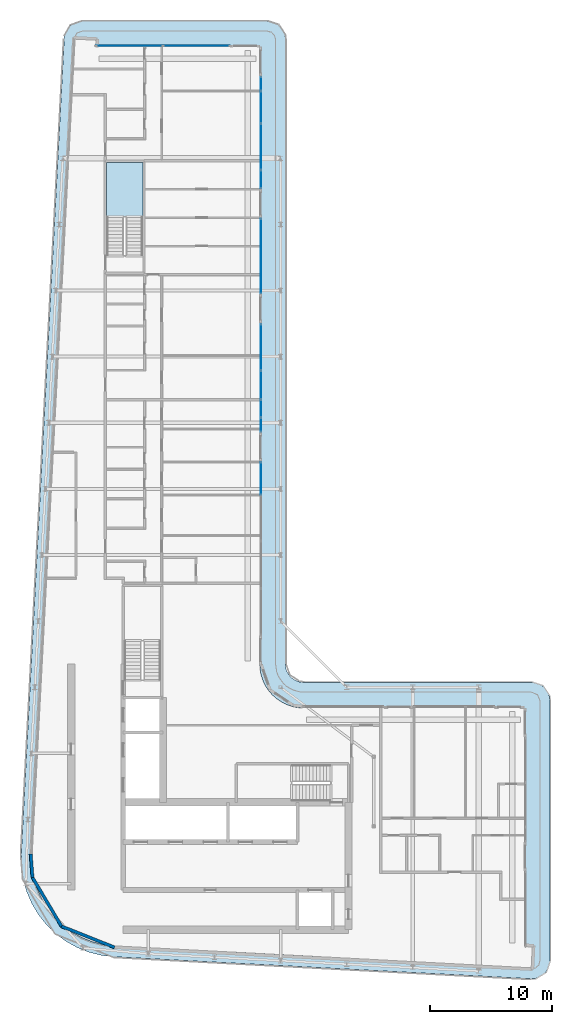
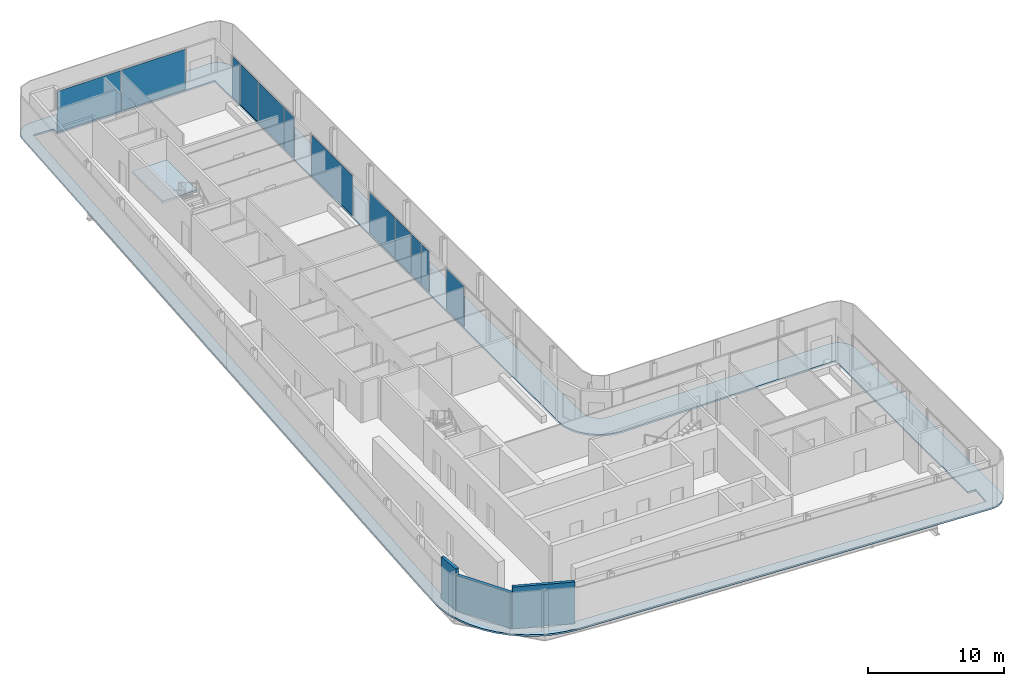
# One storey, part 10 of 21: 12 plates, 3 walls, 2 slabs, 8 elements without a shape of their own.
"""IFC4 building model written with IfcOpenShell, lengths in metres."""

from ifc_helpers import new_model, si_unit, direction, frame, frame_2d, origin, origin_2d, place, context, subcontext, project, spatial, polyline, rectangle, outline, extrude, material, layer, layer_set, type_object, element, aggregate, save


model = new_model("IFC4")

# Units and contexts
model_context = context("Model", 3, precision=1e-05, world=origin(), true_north=direction((0.0, 1.0)))
body_context = subcontext(model_context, "Body", "Model", "MODEL_VIEW")
ifc_project = project(units=[si_unit("LENGTHUNIT", "METRE"), si_unit("AREAUNIT", "SQUARE_METRE"), si_unit("VOLUMEUNIT", "CUBIC_METRE"), si_unit("PLANEANGLEUNIT", "RADIAN"), si_unit("MASSUNIT", "GRAM", prefix="KILO")], contexts=[model_context])

# Site, building, storey
site_placement = place(None, origin())
site = spatial("IfcSite", under=ifc_project, at=site_placement, CompositionType="ELEMENT")
building_placement = place(site_placement, origin())
building = spatial("IfcBuilding", under=site, at=building_placement, Name="Kheshtan School and Residences Tower", CompositionType="ELEMENT")
storey_placement = place(building_placement, frame((0.0, 0.0, 305.89990234375)))
storey = spatial("IfcBuildingStorey", under=building, at=storey_placement, Name="L72", CompositionType="ELEMENT", Elevation=305.89990234375)

# Curtain wall, plates
ifc_material_1 = material(Name="Clear low-e glass in thermally broken aluminium frame", Category="aluminium")
ifc_layer_1 = layer(ifc_material_1, 0.199951171875)
ifc_layer_set_1 = layer_set([ifc_layer_1], Name="Curtain wall CW-L")
curtain_wall_type = type_object("IfcCurtainWallType", Name="Curtain wall CW-L", PredefinedType="NOTDEFINED", material=ifc_layer_set_1)
curtain_wall_1_placement = place(storey_placement, origin())
curtain_wall_1 = element("IfcCurtainWall", 1, at=curtain_wall_1_placement, inside=storey, type_object=curtain_wall_type, Name="Curtain wall CWL7", PredefinedType="NOTDEFINED")
ifc_layer_2 = layer(ifc_material_1, 0.031982421875)
ifc_layer_set_2 = layer_set([ifc_layer_2], Name="CW-L glass panel")
plate_type = type_object("IfcPlateType", Name="CW-L glass panel", PredefinedType="CURTAIN_PANEL", material=ifc_layer_set_2)
plate_1_placement = place(storey_placement, frame((35.259033203125, 98.0, 0.000244140625), z_axis=(0.0, 0.0, 1.0), x_axis=(1.0, 0.0, 0.0)))
plate_1 = element("IfcPlate", 2, at=plate_1_placement, type_object=plate_type, Name="CWL7 panel 1.1", PredefinedType="CURTAIN_PANEL", context=body_context, shape_type="SweptSolid", body=[
    extrude(rectangle(XDim=5.4140625, YDim=0.031982421875, at=origin_2d()), origin(), (0.0, 0.0, 1.0), 3.6298828125),
])
plate_2_placement = place(storey_placement, frame((40.73291015625, 98.0, 0.000244140625), z_axis=(0.0, 0.0, 1.0), x_axis=(1.0, 0.0, 0.0)))
plate_2 = element("IfcPlate", 3, at=plate_2_placement, type_object=plate_type, Name="CWL7 panel 2.1", PredefinedType="CURTAIN_PANEL", context=body_context, shape_type="SweptSolid", body=[
    extrude(rectangle(XDim=5.4140625, YDim=0.031982421875, at=origin_2d()), origin(), (0.0, 0.0, 1.0), 3.6298828125),
])
aggregate(curtain_wall_1, [plate_1, plate_2])

curtain_wall_2_placement = place(storey_placement, origin())
curtain_wall_2 = element("IfcCurtainWall", 4, at=curtain_wall_2_placement, inside=storey, type_object=curtain_wall_type, Name="Curtain wall CWL8c", PredefinedType="NOTDEFINED")
plate_3_placement = place(storey_placement, frame((46.0, 94.885009765625, 0.000244140625), z_axis=(0.0, 0.0, 1.0), x_axis=(0.0, -1.0, 0.0)))
plate_3 = element("IfcPlate", 5, at=plate_3_placement, type_object=plate_type, Name="CWL8c panel 1.1", PredefinedType="CURTAIN_PANEL", context=body_context, shape_type="SweptSolid", body=[
    extrude(rectangle(XDim=1.110107421875, YDim=0.031982421875, at=origin_2d()), origin(), (0.0, 0.0, 1.0), 3.6298828125),
])
plate_4_placement = place(storey_placement, frame((46.0, 92.9765625, 0.000244140625), z_axis=(0.0, 0.0, 1.0), x_axis=(0.0, -1.0, 0.0)))
plate_4 = element("IfcPlate", 6, at=plate_4_placement, type_object=plate_type, Name="CWL8c panel 2.1", PredefinedType="CURTAIN_PANEL", context=body_context, shape_type="SweptSolid", body=[
    extrude(rectangle(XDim=2.5869140625, YDim=0.031982421875, at=origin_2d()), origin(), (0.0, 0.0, 1.0), 3.6298828125),
])
plate_5_placement = place(storey_placement, frame((46.0, 89.744384765625, 0.000244140625), z_axis=(0.0, 0.0, 1.0), x_axis=(0.0, -1.0, 0.0)))
plate_5 = element("IfcPlate", 7, at=plate_5_placement, type_object=plate_type, Name="CWL8c panel 3.1", PredefinedType="CURTAIN_PANEL", context=body_context, shape_type="SweptSolid", body=[
    extrude(rectangle(XDim=3.757080078125, YDim=0.031982421875, at=origin_2d()), origin(), (0.0, 0.0, 1.0), 3.6298828125),
])
aggregate(curtain_wall_2, [plate_3, plate_4, plate_5])

# Curtain wall, plate
curtain_wall_3_placement = place(storey_placement, origin())
curtain_wall_3 = element("IfcCurtainWall", 8, at=curtain_wall_3_placement, inside=storey, type_object=curtain_wall_type, Name="Curtain wall CWL8a", PredefinedType="NOTDEFINED")
plate_6_placement = place(storey_placement, frame((46.0, 87.0859375, 0.000244140625), z_axis=(0.0, 0.0, 1.0), x_axis=(0.0, -1.0, 0.0)))
plate_6 = element("IfcPlate", 9, at=plate_6_placement, type_object=plate_type, Name="CWL8a panel 1.1", PredefinedType="CURTAIN_PANEL", context=body_context, shape_type="SweptSolid", body=[
    extrude(rectangle(XDim=1.43994140625, YDim=0.031982421875, at=origin_2d()), origin(), (0.0, 0.0, 1.0), 3.6298828125),
])
aggregate(curtain_wall_3, [plate_6])

curtain_wall_4_placement = place(storey_placement, origin())
curtain_wall_4 = element("IfcCurtainWall", 10, at=curtain_wall_4_placement, inside=storey, type_object=curtain_wall_type, Name="Curtain wall CWL8d", PredefinedType="NOTDEFINED")
plate_7_placement = place(storey_placement, frame((46.0, 80.80908203125, 0.000244140625), z_axis=(0.0, 0.0, 1.0), x_axis=(0.0, -1.0, 0.0)))
plate_7 = element("IfcPlate", 11, at=plate_7_placement, type_object=plate_type, Name="CWL8d panel 1.1", PredefinedType="CURTAIN_PANEL", context=body_context, shape_type="SweptSolid", body=[
    extrude(rectangle(XDim=6.073974609375, YDim=0.031982421875, at=origin_2d()), origin(), (0.0, 0.0, 1.0), 3.6298828125),
])
aggregate(curtain_wall_4, [plate_7])

# Curtain wall, plates
curtain_wall_5_placement = place(storey_placement, origin())
curtain_wall_5 = element("IfcCurtainWall", 12, at=curtain_wall_5_placement, inside=storey, type_object=curtain_wall_type, Name="Curtain wall CWL8c", PredefinedType="NOTDEFINED")
plate_8_placement = place(storey_placement, frame((46.0, 73.37353515625, 0.000244140625), z_axis=(0.0, 0.0, 1.0), x_axis=(0.0, -1.0, 0.0)))
plate_8 = element("IfcPlate", 13, at=plate_8_placement, type_object=plate_type, Name="CWL8c panel 1.1", PredefinedType="CURTAIN_PANEL", context=body_context, shape_type="SweptSolid", body=[
    extrude(rectangle(XDim=3.757080078125, YDim=0.031982421875, at=origin_2d()), origin(), (0.0, 0.0, 1.0), 3.6298828125),
])
plate_9_placement = place(storey_placement, frame((46.0, 70.282470703125, 0.000244140625), z_axis=(0.0, 0.0, 1.0), x_axis=(0.0, -1.0, 0.0)))
plate_9 = element("IfcPlate", 14, at=plate_9_placement, type_object=plate_type, Name="CWL8c panel 2.1", PredefinedType="CURTAIN_PANEL", context=body_context, shape_type="SweptSolid", body=[
    extrude(rectangle(XDim=2.304931640625, YDim=0.031982421875, at=origin_2d()), origin(), (0.0, 0.0, 1.0), 3.6298828125),
])
plate_10_placement = place(storey_placement, frame((46.0, 68.3740234375, 0.000244140625), z_axis=(0.0, 0.0, 1.0), x_axis=(0.0, -1.0, 0.0)))
plate_10 = element("IfcPlate", 15, at=plate_10_placement, type_object=plate_type, Name="CWL8c panel 3.1", PredefinedType="CURTAIN_PANEL", context=body_context, shape_type="SweptSolid", body=[
    extrude(rectangle(XDim=1.39208984375, YDim=0.031982421875, at=origin_2d()), origin(), (0.0, 0.0, 1.0), 3.6298828125),
])
aggregate(curtain_wall_5, [plate_8, plate_9, plate_10])

# Curtain wall, plate
curtain_wall_6_placement = place(storey_placement, origin())
curtain_wall_6 = element("IfcCurtainWall", 16, at=curtain_wall_6_placement, inside=storey, type_object=curtain_wall_type, Name="Curtain wall CWL8g", PredefinedType="NOTDEFINED")
plate_11_placement = place(storey_placement, frame((46.0, 67.048095703125, 0.000244140625), z_axis=(0.0, 0.0, 1.0), x_axis=(0.0, -1.0, 0.0)))
plate_11 = element("IfcPlate", 17, at=plate_11_placement, type_object=plate_type, Name="CWL8g panel 1.1", PredefinedType="CURTAIN_PANEL", context=body_context, shape_type="SweptSolid", body=[
    extrude(rectangle(XDim=1.139892578125, YDim=0.031982421875, at=origin_2d()), origin(), (0.0, 0.0, 1.0), 3.6298828125),
])
aggregate(curtain_wall_6, [plate_11])

curtain_wall_7_placement = place(storey_placement, origin())
curtain_wall_7 = element("IfcCurtainWall", 18, at=curtain_wall_7_placement, inside=storey, type_object=curtain_wall_type, Name="Curtain wall CWL8k", PredefinedType="NOTDEFINED")
plate_12_placement = place(storey_placement, frame((46.0, 62.64404296875, 0.000244140625), z_axis=(0.0, 0.0, 1.0), x_axis=(0.0, -1.0, 0.0)))
plate_12 = element("IfcPlate", 19, at=plate_12_placement, type_object=plate_type, Name="CWL8k panel 1.1", PredefinedType="CURTAIN_PANEL", context=body_context, shape_type="SweptSolid", body=[
    extrude(rectangle(XDim=2.6279296875, YDim=0.031982421875, at=origin_2d()), origin(), (0.0, 0.0, 1.0), 3.6298828125),
])
aggregate(curtain_wall_7, [plate_12])

# Slab
ifc_material_2 = material(Name="Concrete C40/50", Category="concrete")
ifc_layer_3 = layer(ifc_material_2, 0.14990234375)
ifc_layer_set_3 = layer_set([ifc_layer_3], Name="Loggia balcony slab 150 Concrete C40/50")
slab_type_1 = type_object("IfcSlabType", Name="Loggia balcony slab 150 Concrete C40/50", PredefinedType="FLOOR", material=ifc_layer_set_3)
slab_1_placement = place(storey_placement, frame((0.0, 0.0, -0.14990234375)))
element("IfcSlab", 20, at=slab_1_placement, inside=storey, type_object=slab_type_1, Name="Loggia balcony slab L72", PredefinedType="FLOOR", context=body_context, shape_type="SweptSolid", body=[
    extrude(outline(polyline([(28.4580078125, 26.222900390625), (28.45703125, 26.222900390625), (28.45703125, 26.22412109375), (28.4560546875, 26.22412109375), (27.81494140625, 27.0390625), (27.281005859375, 27.93798828125), (26.867919921875, 28.89990234375), (26.583984375, 29.89990234375), (26.583984375, 29.906982421875), (26.43408203125, 30.943115234375), (26.419921875, 31.989013671875), (29.925048828125, 98.5791015625), (29.930908203125, 98.626953125), (29.930908203125, 98.6279296875), (29.929931640625, 98.6279296875), (29.929931640625, 98.62890625), (29.928955078125, 98.62890625), (29.928955078125, 98.6298828125), (29.927978515625, 98.6298828125), (29.927978515625, 98.631103515625), (29.927001953125, 98.631103515625), (29.927001953125, 98.632080078125), (29.927001953125, 98.633056640625), (29.945068359375, 98.781005859375), (29.945068359375, 98.783935546875), (29.945068359375, 98.784912109375), (29.946044921875, 98.784912109375), (29.946044921875, 98.785888671875), (29.947021484375, 98.785888671875), (29.947021484375, 98.787109375), (29.947998046875, 98.787109375), (29.948974609375, 98.787109375), (29.948974609375, 98.7880859375), (29.949951171875, 98.7880859375), (29.949951171875, 98.7890625), (29.949951171875, 98.791015625), (30.0029296875, 98.98388671875), (30.083984375, 99.175048828125), (30.18896484375, 99.35302734375), (30.31103515625, 99.507080078125), (30.31201171875, 99.507080078125), (30.31201171875, 99.508056640625), (30.31298828125, 99.508056640625), (30.31298828125, 99.509033203125), (30.31396484375, 99.509033203125), (30.31396484375, 99.510009765625), (30.31494140625, 99.510009765625), (30.31494140625, 99.510986328125), (30.31591796875, 99.510986328125), (30.31591796875, 99.511962890625), (30.31689453125, 99.511962890625), (30.31689453125, 99.512939453125), (30.318115234375, 99.512939453125), (30.320068359375, 99.512939453125), (30.321044921875, 99.512939453125), (30.321044921875, 99.513916015625), (30.468017578125, 99.656982421875), (30.468994140625, 99.656982421875), (30.468994140625, 99.657958984375), (30.469970703125, 99.657958984375), (30.469970703125, 99.658935546875), (30.470947265625, 99.658935546875), (30.470947265625, 99.659912109375), (30.471923828125, 99.659912109375), (30.471923828125, 99.660888671875), (30.472900390625, 99.660888671875), (30.472900390625, 99.662109375), (30.47412109375, 99.662109375), (30.47412109375, 99.6630859375), (30.47509765625, 99.6630859375), (30.47509765625, 99.6640625), (30.635986328125, 99.777099609375), (30.820068359375, 99.873046875), (31.007080078125, 99.943115234375), (31.013916015625, 99.943115234375), (31.217041015625, 99.986083984375), (31.423095703125, 100.0), (46.5, 100.0), (46.696044921875, 99.987060546875), (46.887939453125, 99.948974609375), (46.89501953125, 99.948974609375), (47.073974609375, 99.885986328125), (47.242919921875, 99.801025390625), (47.243896484375, 99.801025390625), (47.2470703125, 99.801025390625), (47.248046875, 99.801025390625), (47.248046875, 99.802001953125), (47.2490234375, 99.802001953125), (47.2490234375, 99.802978515625), (47.25, 99.802978515625), (47.2529296875, 99.802978515625), (47.25390625, 99.802978515625), (47.25390625, 99.802001953125), (47.2548828125, 99.802001953125), (47.2548828125, 99.801025390625), (47.256103515625, 99.801025390625), (47.256103515625, 99.800048828125), (47.257080078125, 99.800048828125), (47.257080078125, 99.799072265625), (47.258056640625, 99.799072265625), (47.258056640625, 99.798095703125), (47.412109375, 99.696044921875), (47.4130859375, 99.696044921875), (47.4130859375, 99.695068359375), (47.4140625, 99.695068359375), (47.4140625, 99.694091796875), (47.4140625, 99.68994140625), (47.4140625, 99.68896484375), (47.4150390625, 99.68896484375), (47.4150390625, 99.68798828125), (47.416015625, 99.68798828125), (47.416015625, 99.68701171875), (47.4169921875, 99.68701171875), (47.4169921875, 99.68603515625), (47.554931640625, 99.568115234375), (47.554931640625, 99.56689453125), (47.555908203125, 99.56689453125), (47.555908203125, 99.56591796875), (47.556884765625, 99.56591796875), (47.556884765625, 99.56494140625), (47.55810546875, 99.56494140625), (47.55810546875, 99.56396484375), (47.55908203125, 99.56396484375), (47.55908203125, 99.56298828125), (47.56005859375, 99.56298828125), (47.56005859375, 99.56201171875), (47.56103515625, 99.56201171875), (47.56201171875, 99.56103515625), (47.56201171875, 99.56005859375), (47.56298828125, 99.56005859375), (47.56298828125, 99.55908203125), (47.56396484375, 99.55908203125), (47.56396484375, 99.55810546875), (47.56494140625, 99.55810546875), (47.56494140625, 99.556884765625), (47.56591796875, 99.556884765625), (47.56591796875, 99.555908203125), (47.56689453125, 99.555908203125), (47.56689453125, 99.554931640625), (47.568115234375, 99.554931640625), (47.68505859375, 99.41796875), (47.68603515625, 99.41796875), (47.68603515625, 99.4169921875), (47.68701171875, 99.4169921875), (47.68701171875, 99.416015625), (47.68798828125, 99.416015625), (47.68798828125, 99.4150390625), (47.68896484375, 99.4150390625), (47.68896484375, 99.4140625), (47.68994140625, 99.4140625), (47.694091796875, 99.4140625), (47.695068359375, 99.4140625), (47.695068359375, 99.4130859375), (47.696044921875, 99.4130859375), (47.696044921875, 99.412109375), (47.797119140625, 99.259033203125), (47.798095703125, 99.259033203125), (47.798095703125, 99.258056640625), (47.799072265625, 99.258056640625), (47.799072265625, 99.257080078125), (47.800048828125, 99.257080078125), (47.800048828125, 99.256103515625), (47.801025390625, 99.256103515625), (47.801025390625, 99.2548828125), (47.802001953125, 99.2548828125), (47.802001953125, 99.25390625), (47.802978515625, 99.25390625), (47.802978515625, 99.2529296875), (47.802978515625, 99.25), (47.802978515625, 99.2490234375), (47.802001953125, 99.2490234375), (47.802001953125, 99.248046875), (47.801025390625, 99.248046875), (47.801025390625, 99.2470703125), (47.801025390625, 99.243896484375), (47.801025390625, 99.242919921875), (47.885986328125, 99.073974609375), (47.948974609375, 98.89501953125), (47.948974609375, 98.887939453125), (47.987060546875, 98.696044921875), (48.0, 98.5), (48.0, 47.5), (48.012939453125, 47.303955078125), (48.051025390625, 47.113037109375), (48.051025390625, 47.10693359375), (48.051025390625, 47.10595703125), (48.114013671875, 46.926025390625), (48.200927734375, 46.75), (48.31005859375, 46.5869140625), (48.431884765625, 46.444091796875), (48.43310546875, 46.444091796875), (48.43310546875, 46.443115234375), (48.43408203125, 46.443115234375), (48.43408203125, 46.44189453125), (48.43505859375, 46.44189453125), (48.43505859375, 46.44091796875), (48.43603515625, 46.44091796875), (48.43603515625, 46.43994140625), (48.43701171875, 46.43994140625), (48.43701171875, 46.43896484375), (48.43798828125, 46.43896484375), (48.43896484375, 46.43798828125), (48.43896484375, 46.43701171875), (48.43994140625, 46.43701171875), (48.43994140625, 46.43603515625), (48.44091796875, 46.43603515625), (48.44091796875, 46.43505859375), (48.44189453125, 46.43505859375), (48.44189453125, 46.43408203125), (48.443115234375, 46.43408203125), (48.443115234375, 46.43310546875), (48.444091796875, 46.43310546875), (48.444091796875, 46.431884765625), (48.5869140625, 46.31005859375), (48.75, 46.200927734375), (48.926025390625, 46.114013671875), (49.10595703125, 46.051025390625), (49.10693359375, 46.051025390625), (49.113037109375, 46.051025390625), (49.303955078125, 46.012939453125), (49.5, 46.0), (68.10009765625, 46.0), (68.2958984375, 45.987060546875), (68.488037109375, 45.948974609375), (68.4951171875, 45.948974609375), (68.674072265625, 45.885986328125), (68.842041015625, 45.801025390625), (68.843017578125, 45.801025390625), (68.846923828125, 45.801025390625), (68.847900390625, 45.801025390625), (68.847900390625, 45.802001953125), (68.84912109375, 45.802001953125), (68.84912109375, 45.802978515625), (68.85009765625, 45.802978515625), (68.85302734375, 45.802978515625), (68.85400390625, 45.802978515625), (68.85400390625, 45.802001953125), (68.85498046875, 45.802001953125), (68.85498046875, 45.801025390625), (68.85595703125, 45.801025390625), (68.85595703125, 45.800048828125), (68.85693359375, 45.800048828125), (68.85693359375, 45.799072265625), (68.85791015625, 45.799072265625), (68.85791015625, 45.798095703125), (68.85888671875, 45.798095703125), (68.85888671875, 45.797119140625), (68.860107421875, 45.797119140625), (68.860107421875, 45.7958984375), (69.011962890625, 45.696044921875), (69.012939453125, 45.696044921875), (69.012939453125, 45.695068359375), (69.013916015625, 45.695068359375), (69.013916015625, 45.694091796875), (69.013916015625, 45.68994140625), (69.013916015625, 45.68896484375), (69.014892578125, 45.68896484375), (69.014892578125, 45.68798828125), (69.01611328125, 45.68798828125), (69.01611328125, 45.68701171875), (69.01708984375, 45.68701171875), (69.01708984375, 45.68603515625), (69.01806640625, 45.68603515625), (69.01806640625, 45.68505859375), (69.01904296875, 45.68505859375), (69.01904296875, 45.68408203125), (69.155029296875, 45.568115234375), (69.155029296875, 45.56689453125), (69.156005859375, 45.56689453125), (69.156005859375, 45.56591796875), (69.156982421875, 45.56591796875), (69.156982421875, 45.56494140625), (69.157958984375, 45.56494140625), (69.157958984375, 45.56396484375), (69.158935546875, 45.56396484375), (69.158935546875, 45.56298828125), (69.159912109375, 45.56298828125), (69.159912109375, 45.56201171875), (69.160888671875, 45.56201171875), (69.162109375, 45.56103515625), (69.162109375, 45.56005859375), (69.1630859375, 45.56005859375), (69.1630859375, 45.55908203125), (69.1640625, 45.55908203125), (69.1640625, 45.55810546875), (69.1650390625, 45.55810546875), (69.1650390625, 45.556884765625), (69.166015625, 45.556884765625), (69.166015625, 45.555908203125), (69.1669921875, 45.555908203125), (69.1669921875, 45.554931640625), (69.16796875, 45.554931640625), (69.281982421875, 45.4208984375), (69.282958984375, 45.4208984375), (69.282958984375, 45.419921875), (69.283935546875, 45.419921875), (69.283935546875, 45.4189453125), (69.284912109375, 45.4189453125), (69.284912109375, 45.41796875), (69.285888671875, 45.41796875), (69.285888671875, 45.4169921875), (69.287109375, 45.4169921875), (69.287109375, 45.416015625), (69.2880859375, 45.416015625), (69.2880859375, 45.4150390625), (69.2890625, 45.4150390625), (69.2890625, 45.4140625), (69.2900390625, 45.4140625), (69.2939453125, 45.4140625), (69.294921875, 45.4140625), (69.294921875, 45.4130859375), (69.2958984375, 45.4130859375), (69.2958984375, 45.412109375), (69.39404296875, 45.261962890625), (69.39501953125, 45.261962890625), (69.39501953125, 45.260986328125), (69.39599609375, 45.260986328125), (69.39599609375, 45.260009765625), (69.39697265625, 45.260009765625), (69.39697265625, 45.259033203125), (69.39794921875, 45.259033203125), (69.39794921875, 45.258056640625), (69.39892578125, 45.258056640625), (69.39892578125, 45.257080078125), (69.39990234375, 45.257080078125), (69.39990234375, 45.256103515625), (69.40087890625, 45.256103515625), (69.40087890625, 45.2548828125), (69.402099609375, 45.2548828125), (69.402099609375, 45.25390625), (69.403076171875, 45.25390625), (69.403076171875, 45.2529296875), (69.403076171875, 45.25), (69.403076171875, 45.2490234375), (69.402099609375, 45.2490234375), (69.402099609375, 45.248046875), (69.40087890625, 45.248046875), (69.40087890625, 45.2470703125), (69.40087890625, 45.240966796875), (69.40087890625, 45.239990234375), (69.486083984375, 45.073974609375), (69.549072265625, 44.89501953125), (69.549072265625, 44.887939453125), (69.5869140625, 44.696044921875), (69.60009765625, 44.5), (69.60009765625, 23.285888671875), (69.5859375, 23.083984375), (69.544921875, 22.885009765625), (69.544921875, 22.8779296875), (69.47802734375, 22.694091796875), (69.385986328125, 22.513916015625), (69.27099609375, 22.347900390625), (69.27099609375, 22.346923828125), (69.27099609375, 22.345947265625), (69.27099609375, 22.344970703125), (69.27197265625, 22.344970703125), (69.27197265625, 22.343994140625), (69.27197265625, 22.342041015625), (69.27197265625, 22.341064453125), (69.27099609375, 22.341064453125), (69.27099609375, 22.340087890625), (69.137939453125, 22.197021484375), (69.135009765625, 22.194091796875), (69.134033203125, 22.194091796875), (69.134033203125, 22.193115234375), (69.133056640625, 22.193115234375), (69.131103515625, 22.193115234375), (69.1298828125, 22.193115234375), (69.1298828125, 22.194091796875), (69.12890625, 22.194091796875), (69.1279296875, 22.194091796875), (69.126953125, 22.194091796875), (68.97607421875, 22.069091796875), (68.803955078125, 21.9619140625), (68.618896484375, 21.87890625), (68.430908203125, 21.822021484375), (68.424072265625, 21.822021484375), (68.22412109375, 21.791015625), (68.02099609375, 21.7880859375), (33.989013671875, 23.580078125), (33.94189453125, 23.5859375), (33.94091796875, 23.5859375), (33.93994140625, 23.5859375), (33.93994140625, 23.5849609375), (33.93896484375, 23.5849609375), (33.93896484375, 23.583984375), (33.93798828125, 23.583984375), (33.93798828125, 23.5830078125), (33.93701171875, 23.5830078125), (33.93701171875, 23.58203125), (33.93603515625, 23.58203125), (33.93505859375, 23.58203125), (32.952880859375, 23.697998046875), (32.949951171875, 23.697998046875), (32.948974609375, 23.697998046875), (32.948974609375, 23.698974609375), (32.947998046875, 23.698974609375), (32.947998046875, 23.699951171875), (32.947021484375, 23.699951171875), (32.947021484375, 23.700927734375), (32.947021484375, 23.702880859375), (32.947021484375, 23.7041015625), (32.946044921875, 23.7041015625), (32.946044921875, 23.705078125), (32.945068359375, 23.705078125), (32.944091796875, 23.705078125), (31.93603515625, 23.9609375), (31.928955078125, 23.9609375), (30.964111328125, 24.34912109375), (30.051025390625, 24.860107421875), (29.218994140625, 25.47900390625), (29.218994140625, 25.47998046875), (29.218017578125, 25.47998046875), (29.218017578125, 25.48095703125), (29.217041015625, 25.48095703125), (29.217041015625, 25.48193359375), (29.216064453125, 25.48193359375), (29.216064453125, 25.48291015625), (29.215087890625, 25.48291015625), (29.215087890625, 25.48388671875), (29.214111328125, 25.48388671875), (29.214111328125, 25.485107421875), (29.212890625, 25.485107421875), (29.212890625, 25.486083984375), (29.2119140625, 25.486083984375), (28.466064453125, 26.217041015625), (28.466064453125, 26.218017578125), (28.465087890625, 26.218017578125), (28.462890625, 26.218017578125), (28.4619140625, 26.218017578125), (28.4619140625, 26.218994140625), (28.4609375, 26.218994140625), (28.4609375, 26.219970703125), (28.4599609375, 26.219970703125), (28.4599609375, 26.220947265625), (28.458984375, 26.220947265625), (28.458984375, 26.221923828125), (28.4580078125, 26.221923828125), (28.4580078125, 26.222900390625)]), holes=[polyline([(29.12890625, 26.824951171875), (29.12890625, 26.823974609375), (29.1298828125, 26.823974609375), (29.1298828125, 26.822998046875), (29.131103515625, 26.822998046875), (29.131103515625, 26.822021484375), (29.132080078125, 26.822021484375), (29.132080078125, 26.821044921875), (29.133056640625, 26.821044921875), (29.133056640625, 26.820068359375), (29.134033203125, 26.820068359375), (29.794921875, 26.173095703125), (29.794921875, 26.172119140625), (29.7958984375, 26.172119140625), (29.798095703125, 26.172119140625), (29.799072265625, 26.172119140625), (29.799072265625, 26.1708984375), (29.800048828125, 26.1708984375), (29.800048828125, 26.169921875), (29.801025390625, 26.169921875), (29.801025390625, 26.1689453125), (29.802001953125, 26.1689453125), (29.802001953125, 26.16796875), (29.802978515625, 26.16796875), (29.802978515625, 26.1669921875), (29.803955078125, 26.1669921875), (29.803955078125, 26.166015625), (30.541015625, 25.616943359375), (31.35205078125, 25.1630859375), (32.208984375, 24.819091796875), (32.2099609375, 24.819091796875), (32.216064453125, 24.819091796875), (33.114990234375, 24.590087890625), (34.06591796875, 24.47705078125), (68.0380859375, 22.68798828125), (68.06494140625, 22.68896484375), (68.06591796875, 22.68896484375), (68.06689453125, 22.68896484375), (68.06689453125, 22.68994140625), (68.068115234375, 22.68994140625), (68.068115234375, 22.69091796875), (68.068115234375, 22.69189453125), (68.157958984375, 24.381103515625), (68.157958984375, 24.382080078125), (68.157958984375, 24.383056640625), (68.156982421875, 24.383056640625), (68.156982421875, 24.384033203125), (68.156005859375, 24.384033203125), (68.155029296875, 24.384033203125), (67.5009765625, 24.4189453125), (67.5, 24.4189453125), (67.5, 24.419921875), (67.5, 43.89794921875), (67.5, 43.89892578125), (67.4990234375, 43.89892578125), (67.4990234375, 43.89990234375), (67.498046875, 43.89990234375), (49.429931640625, 43.89990234375), (49.030029296875, 43.927001953125), (48.569091796875, 44.01806640625), (48.56201171875, 44.01806640625), (48.1201171875, 44.169921875), (47.697021484375, 44.37890625), (47.30810546875, 44.638916015625), (46.95703125, 44.944091796875), (46.95703125, 44.945068359375), (46.9560546875, 44.945068359375), (46.9560546875, 44.946044921875), (46.955078125, 44.946044921875), (46.955078125, 44.947021484375), (46.9541015625, 44.947021484375), (46.9541015625, 44.947998046875), (46.952880859375, 44.947998046875), (46.952880859375, 44.948974609375), (46.951904296875, 44.948974609375), (46.951904296875, 44.949951171875), (46.951904296875, 44.950927734375), (46.950927734375, 44.950927734375), (46.950927734375, 44.951904296875), (46.949951171875, 44.951904296875), (46.948974609375, 44.951904296875), (46.948974609375, 44.952880859375), (46.947998046875, 44.952880859375), (46.947998046875, 44.9541015625), (46.947021484375, 44.9541015625), (46.947021484375, 44.955078125), (46.946044921875, 44.955078125), (46.946044921875, 44.9560546875), (46.945068359375, 44.9560546875), (46.945068359375, 44.95703125), (46.944091796875, 44.95703125), (46.638916015625, 45.30810546875), (46.37890625, 45.697021484375), (46.169921875, 46.1201171875), (46.01806640625, 46.56201171875), (46.01806640625, 46.569091796875), (45.927001953125, 47.030029296875), (45.89990234375, 47.429931640625), (45.89990234375, 97.89794921875), (45.89990234375, 97.89892578125), (45.89892578125, 97.89892578125), (45.89892578125, 97.89990234375), (45.89794921875, 97.89990234375), (32.492919921875, 97.89990234375), (32.491943359375, 97.89990234375), (32.52099609375, 98.43896484375), (32.52099609375, 98.43994140625), (32.52099609375, 98.44091796875), (32.52001953125, 98.44091796875), (32.52001953125, 98.44189453125), (32.51904296875, 98.44189453125), (32.51806640625, 98.44189453125), (30.8291015625, 98.531982421875), (30.827880859375, 98.531982421875), (30.826904296875, 98.531982421875), (30.826904296875, 98.531005859375), (30.825927734375, 98.531005859375), (30.825927734375, 98.530029296875), (30.825927734375, 98.529052734375), (30.822021484375, 98.5009765625), (27.320068359375, 31.970947265625), (27.3330078125, 31.013916015625), (27.466064453125, 30.093994140625), (27.466064453125, 30.087890625), (27.466064453125, 30.0869140625), (27.718017578125, 29.200927734375), (28.0849609375, 28.345947265625), (28.55908203125, 27.550048828125), (29.126953125, 26.825927734375), (29.1279296875, 26.825927734375), (29.1279296875, 26.824951171875), (29.12890625, 26.824951171875)])]), origin(), (0.0, 0.0, 1.0), 0.14990234375),
])

# Stair, slab
stair_type = type_object("IfcStairType", Name="Exit stair, half-turn", PredefinedType="HALF_TURN_STAIR", material=ifc_material_2)
stair_placement = place(storey_placement, origin())
stair = element("IfcStair", 21, at=stair_placement, inside=storey, type_object=stair_type, Name="L72 Protected Exit Stair ST3", PredefinedType="HALF_TURN_STAIR")
ifc_layer_4 = layer(ifc_material_2, 0.199951171875)
ifc_layer_set_4 = layer_set([ifc_layer_4], Name="Stair landing 200 Concrete C40/50")
slab_type_2 = type_object("IfcSlabType", Name="Stair landing 200 Concrete C40/50", PredefinedType="LANDING", material=ifc_layer_set_4)
slab_2_placement = place(storey_placement, frame((0.0, 0.0, 1.75)))
slab_2 = element("IfcSlab", 22, at=slab_2_placement, type_object=slab_type_2, Name="ST3 landing 1", PredefinedType="LANDING", context=body_context, shape_type="SweptSolid", body=[
    extrude(outline(polyline([(36.35009765625, 83.97998046875), (36.35009765625, 88.4599609375), (33.39990234375, 88.4599609375), (33.39990234375, 83.97998046875), (36.35009765625, 83.97998046875)])), origin(), (0.0, 0.0, 1.0), 0.2001953125),
])
aggregate(stair, [slab_2])

# Walls
ifc_material_3 = material(Name="Concrete C40/50 with ceramic cladding and mineral wool insulation", Category="concrete")
ifc_layer_5 = layer(ifc_material_3, 0.25)
ifc_layer_set_5 = layer_set([ifc_layer_5], Name="External wall 250 ceramic clad")
wall_type = type_object("IfcWallType", Name="External wall 250 ceramic clad", PredefinedType="SOLIDWALL", material=ifc_layer_set_5)
wall_1_placement = place(storey_placement, frame((34.0390625, 24.35302734375, 0.0), z_axis=(0.0, 0.0, 1.0), x_axis=(-0.929352825399, 0.369192803184, 0.0)))
element("IfcWall", 23, at=wall_1_placement, inside=storey, type_object=wall_type, Name="External wall L72 1", PredefinedType="SOLIDWALL", context=body_context, shape_type="SweptSolid", body=[
    extrude(rectangle(XDim=4.656005859375, YDim=0.25, at=frame_2d((2.328125, 0.0))), origin(), (0.0, 0.0, 1.0), 3.75),
])
wall_2_placement = place(storey_placement, frame((29.7119140625, 26.072021484375, 0.0), z_axis=(0.0, 0.0, 1.0), x_axis=(-0.511028049012, 0.859564036662, 0.0)))
element("IfcWall", 24, at=wall_2_placement, inside=storey, type_object=wall_type, Name="External wall L72 2", PredefinedType="SOLIDWALL", context=body_context, shape_type="SweptSolid", body=[
    extrude(rectangle(XDim=4.633544921875, YDim=0.25, at=frame_2d((2.31689453125, 0.0))), origin(), (0.0, 0.0, 1.0), 3.217041015625),
])
wall_3_placement = place(storey_placement, frame((27.343994140625, 30.054931640625, 0.0), z_axis=(0.0, 0.0, 1.0), x_axis=(-0.077571675317, 0.99698677784, 0.0)))
element("IfcWall", 25, at=wall_3_placement, inside=storey, type_object=wall_type, Name="External wall L72 3", PredefinedType="SOLIDWALL", context=body_context, shape_type="SweptSolid", body=[
    extrude(rectangle(XDim=1.919921875, YDim=0.25, at=frame_2d((0.9599609375, 0.0))), origin(), (0.0, 0.0, 1.0), 3.75),
])

save(model, "model.ifc")
